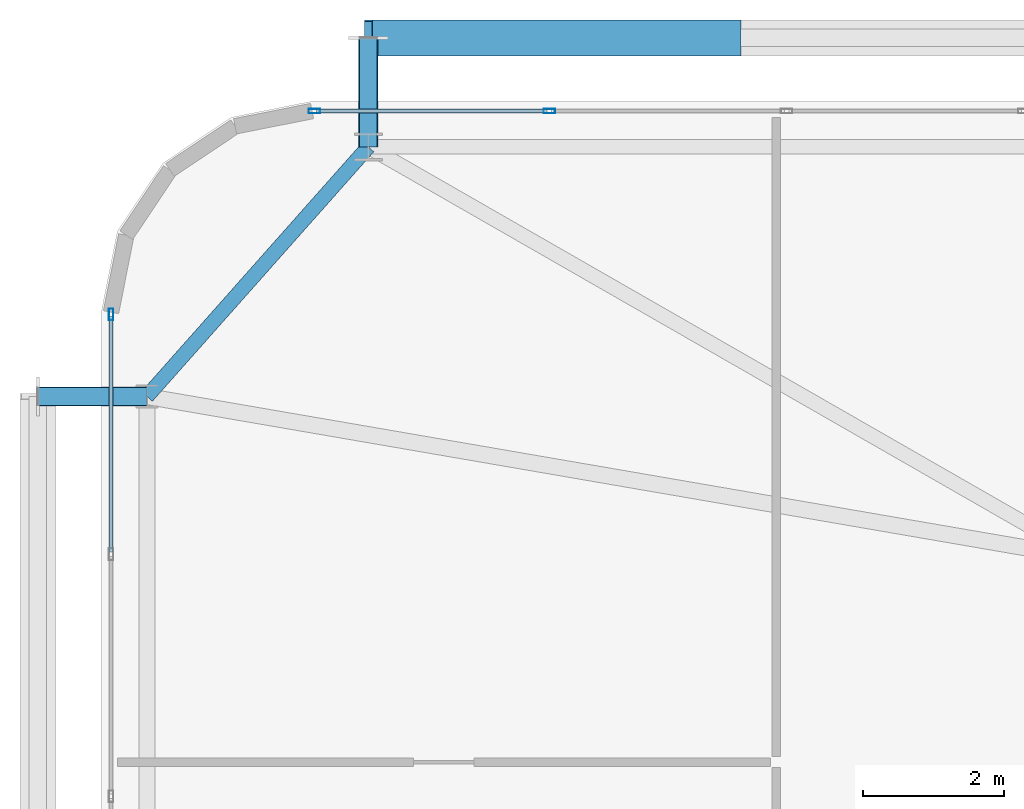
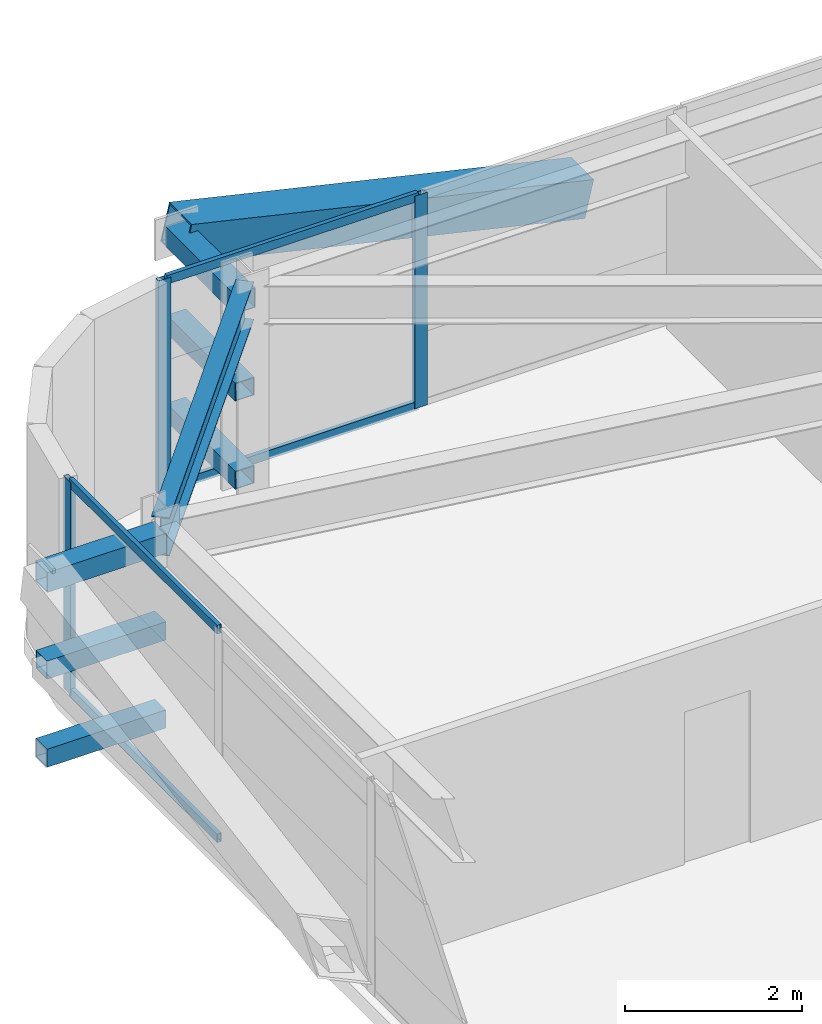
# One storey, part 33 of 59: 14 members, 1 beam, 2 elements without a shape of their own.
"""IFC4 building model written with IfcOpenShell, lengths in metres."""

from ifc_helpers import new_model, si_unit, direction, frame, origin, origin_2d, place, context, subcontext, project, spatial, hollow_rectangle, i_section, extrude, source, transform, mapped, material, layer, layer_set, material_profile, profile_set, type_object, element, aggregate, save


model = new_model("IFC4")

# Units and contexts
model_context = context("Model", 3, precision=1e-05, world=origin(), true_north=direction((0.0, 1.0)))
body_context = subcontext(model_context, "Body", "Model", "MODEL_VIEW")
ifc_project = project(units=[si_unit("LENGTHUNIT", "METRE"), si_unit("AREAUNIT", "SQUARE_METRE"), si_unit("VOLUMEUNIT", "CUBIC_METRE"), si_unit("PLANEANGLEUNIT", "RADIAN"), si_unit("MASSUNIT", "GRAM", prefix="KILO")], contexts=[model_context])

# Site, building, storey
site_placement = place(None, origin())
site = spatial("IfcSite", under=ifc_project, at=site_placement, CompositionType="ELEMENT")
building_placement = place(site_placement, origin())
building = spatial("IfcBuilding", under=site, at=building_placement, Name="Taldren Reach Tower", CompositionType="ELEMENT")
storey_placement = place(building_placement, frame((0.0, 0.0, 45.14990234375)))
storey = spatial("IfcBuildingStorey", under=building, at=storey_placement, Name="L13", CompositionType="ELEMENT", Elevation=45.14990234375)

# Beam
ifc_material_1 = material(Name="Steel Gr 350 (350PLUS)", Category="steel")
ifc_material_profile_1 = material_profile(ifc_material_1, i_section(OverallWidth=0.208984375, OverallDepth=0.528076171875, WebThickness=0.009521484375, FlangeThickness=0.01318359375, at=origin_2d()), Name="530UB82.0")
ifc_profile_set_1 = profile_set([ifc_material_profile_1], Name="Steel Gr 350 (350PLUS)")
beam_type = type_object("IfcBeamType", Name="SP-UB530B", PredefinedType="SPANDREL", material=ifc_profile_set_1)
shared_shape_1 = source(origin(), body_context, "Body", "SweptSolid", [
    extrude(i_section(OverallWidth=0.208984375, OverallDepth=0.528076171875, WebThickness=0.009521484375, FlangeThickness=0.01318359375, at=origin_2d()), origin(), (0.0, 0.0, 1.0), 4.74609375),
])
beam_placement = place(storey_placement, frame((8.800048828125, 37.85009765625, 2.666015625), z_axis=(-0.663721843779, -0.747979487747, 0.0), x_axis=(0.747979487747, -0.663721843779, 0.0)))
element("IfcBeam", 1, at=beam_placement, inside=storey, type_object=beam_type, Name="Perimeter spandrel B1 N1-W3 L13", PredefinedType="SPANDREL", context=body_context, shape_type="MappedRepresentation", body=[
    mapped(shared_shape_1, transform((0.0, 0.0, 0.0), scale=1.0)),
])

# Members
ifc_material_2 = material(Name="Steel Gr 450 (C450L0)", Category="steel")
ifc_material_profile_2 = material_profile(ifc_material_2, hollow_rectangle(XDim=0.27490234375, YDim=0.27490234375, WallThickness=0.00927734375, at=origin_2d()), Name="275x275x9.3SHS")
ifc_profile_set_2 = profile_set([ifc_material_profile_2], Name="Steel Gr 450 (C450L0)")
member_type_1 = type_object("IfcMemberType", Name="MB-TIE273", PredefinedType="STRUT", material=ifc_profile_set_2)
shared_shape_2 = source(origin(), body_context, "Body", "SweptSolid", [
    extrude(hollow_rectangle(XDim=0.27490234375, YDim=0.27490234375, WallThickness=0.00927734375, at=origin_2d()), origin(), (0.0, 0.0, 1.0), 1.5498046875),
])
for number, where, z_axis, x_axis, name in (
    (2, (8.800048828125, 37.85009765625, 2.650146484375), (0.0, 1.0, 0.0), (-1.0, 0.0, 0.0), "Exoskeleton diaphragm tie strut B1-N1 L13"),
    (3, (5.64990234375, 34.300048828125, 2.650146484375), (-1.0, 0.0, 0.0), (0.0, -1.0, 0.0), "Exoskeleton diaphragm tie strut B1-W3 L13"),
):
    element("IfcMember", number, at=place(storey_placement, frame(where, z_axis=z_axis, x_axis=x_axis)), inside=storey, type_object=member_type_1, Name=name, PredefinedType="STRUT", context=body_context, shape_type="MappedRepresentation", body=[
        mapped(shared_shape_2, transform((0.0, 0.0, 0.0), scale=1.0)),
    ])
ifc_material_profile_3 = material_profile(ifc_material_2, hollow_rectangle(XDim=0.510009765625, YDim=0.510009765625, WallThickness=0.02001953125, at=origin_2d()), Name="510x510x20.0SHS")
ifc_profile_set_3 = profile_set([ifc_material_profile_3], Name="Steel Gr 450 (C450L0)")
member_type_2 = type_object("IfcMemberType", Name="MB-EXO508", PredefinedType="BRACE", material=ifc_profile_set_3)
shared_shape_3 = source(origin(), body_context, "Body", "SweptSolid", [
    extrude(hollow_rectangle(XDim=0.510009765625, YDim=0.510009765625, WallThickness=0.02001953125, at=origin_2d()), origin(), (0.0, 0.0, 1.0), 5.37890625),
])
member_1_placement = place(storey_placement, frame((14.0400390625, 39.39990234375, 1.43505859375), z_axis=(-0.97415197996, 0.0, 0.225893603143), x_axis=(0.0, -1.0, 0.0)))
element("IfcMember", 4, at=member_1_placement, inside=storey, type_object=member_type_2, Name="Exoskeleton Diagrid Brace B1-N1 L13", PredefinedType="BRACE", context=body_context, shape_type="MappedRepresentation", body=[
    mapped(shared_shape_3, transform((0.0, 0.0, 0.0), scale=1.0)),
])
ifc_material_3 = material(Name="Steel Gr 350 (C350L0)", Category="steel")
ifc_material_profile_4 = material_profile(ifc_material_3, hollow_rectangle(XDim=0.25, YDim=0.25, WallThickness=0.010009765625, at=origin_2d()), Name="250x250x10.0SHS")
ifc_profile_set_4 = profile_set([ifc_material_profile_4], Name="Steel Gr 350 (C350L0)")
member_type_3 = type_object("IfcMemberType", Name="MB-POST250", PredefinedType="POST", material=ifc_profile_set_4)
shared_shape_4 = source(origin(), body_context, "Body", "SweptSolid", [
    extrude(hollow_rectangle(XDim=0.25, YDim=0.25, WallThickness=0.010009765625, at=origin_2d()), origin(), (0.0, 0.0, 1.0), 1.5498046875),
])
for number, where, z_axis, x_axis, name in (
    (5, (8.800048828125, 37.85009765625, 0.22021484375), (0.0, 1.0, 0.0), (-1.0, 0.0, 0.0), "Exoskeleton base diaphragm tie strut B1-N1 L13"),
    (6, (5.64990234375, 34.300048828125, 0.22021484375), (-1.0, 0.0, 0.0), (0.0, -1.0, 0.0), "Exoskeleton base diaphragm tie strut B1-W3 L13"),
    (7, (8.800048828125, 37.85009765625, 1.43505859375), (0.0, 1.0, 0.0), (-1.0, 0.0, 0.0), "Exoskeleton mid-tier diaphragm tie B1-N1 L13"),
    (8, (5.64990234375, 34.300048828125, 1.43505859375), (-1.0, 0.0, 0.0), (0.0, -1.0, 0.0), "Exoskeleton mid-tier diaphragm tie B1-W3 L13"),
):
    element("IfcMember", number, at=place(storey_placement, frame(where, z_axis=z_axis, x_axis=x_axis)), inside=storey, type_object=member_type_3, Name=name, PredefinedType="POST", context=body_context, shape_type="MappedRepresentation", body=[
        mapped(shared_shape_4, transform((0.0, 0.0, 0.0), scale=1.0)),
    ])

# Curtain wall, members
ifc_material_4 = material(Name="Aluminium and Low-E Glass Unitised System", Category="aluminium")
ifc_layer = layer(ifc_material_4, 0.159912109375)
ifc_layer_set = layer_set([ifc_layer], Name="Aluminium and Low-E Glass Unitised System")
curtain_wall_type = type_object("IfcCurtainWallType", Name="CW-SYS-2", PredefinedType="NOTDEFINED", material=ifc_layer_set)
curtain_wall_1_placement = place(storey_placement, origin())
curtain_wall_1 = element("IfcCurtainWall", 9, at=curtain_wall_1_placement, inside=storey, type_object=curtain_wall_type, Name="Unitised curtain wall CW-L13-N", PredefinedType="NOTDEFINED")
ifc_material_5 = material(Name="Anodised Aluminium 6063-T6", Category="aluminium")
ifc_material_profile_5 = material_profile(ifc_material_5, hollow_rectangle(XDim=0.054931640625, YDim=0.1201171875, WallThickness=0.0029296875, at=origin_2d()), Name="ALU-120x55x3RHS")
ifc_profile_set_5 = profile_set([ifc_material_profile_5], Name="Anodised Aluminium 6063-T6")
member_type_4 = type_object("IfcMemberType", Name="CW-TRN-135", PredefinedType="USERDEFINED", material=ifc_profile_set_5)
shared_shape_5 = source(origin(), body_context, "Body", "SweptSolid", [
    extrude(hollow_rectangle(XDim=0.054931640625, YDim=0.1201171875, WallThickness=0.0029296875, at=origin_2d()), origin(), (0.0, 0.0, 1.0), 3.277587890625),
])
member_2_placement = place(storey_placement, frame((11.342529296875, 38.360107421875, 0.027587890625), z_axis=(-1.0, 0.0, 0.0), x_axis=(0.0, -1.0, 0.0)))
member_2 = element("IfcMember", 10, at=member_2_placement, type_object=member_type_4, Name="CW-2 transom 16.1", ObjectType="TRANSOM", PredefinedType="USERDEFINED", context=body_context, shape_type="MappedRepresentation", body=[
    mapped(shared_shape_5, transform((0.0, 0.0, 0.0), scale=1.0)),
])
member_3_placement = place(storey_placement, frame((11.342529296875, 38.360107421875, 2.902587890625), z_axis=(-1.0, 0.0, 0.0), x_axis=(0.0, -1.0, 0.0)))
member_3 = element("IfcMember", 11, at=member_3_placement, type_object=member_type_4, Name="CW-2 transom 16.2", ObjectType="TRANSOM", PredefinedType="USERDEFINED", context=body_context, shape_type="MappedRepresentation", body=[
    mapped(shared_shape_5, transform((0.0, 0.0, 0.0), scale=1.0)),
])

curtain_wall_2_placement = place(storey_placement, origin())
curtain_wall_2 = element("IfcCurtainWall", 12, at=curtain_wall_2_placement, inside=storey, type_object=curtain_wall_type, Name="Unitised curtain wall CW-L13-W", PredefinedType="NOTDEFINED")
shared_shape_6 = source(origin(), body_context, "Body", "SweptSolid", [
    extrude(hollow_rectangle(XDim=0.054931640625, YDim=0.1201171875, WallThickness=0.0029296875, at=origin_2d()), origin(), (0.0, 0.0, 1.0), 3.346923828125),
])
member_4_placement = place(storey_placement, frame((5.139892578125, 35.43505859375, 0.027587890625), z_axis=(0.0, -1.0, 0.0), x_axis=(1.0, 0.0, 0.0)))
member_4 = element("IfcMember", 13, at=member_4_placement, type_object=member_type_4, Name="CW-2 transom 1.1", ObjectType="TRANSOM", PredefinedType="USERDEFINED", context=body_context, shape_type="MappedRepresentation", body=[
    mapped(shared_shape_6, transform((0.0, 0.0, 0.0), scale=1.0)),
])
member_5_placement = place(storey_placement, frame((5.139892578125, 35.43505859375, 2.902587890625), z_axis=(0.0, -1.0, 0.0), x_axis=(1.0, 0.0, 0.0)))
member_5 = element("IfcMember", 14, at=member_5_placement, type_object=member_type_4, Name="CW-2 transom 1.2", ObjectType="TRANSOM", PredefinedType="USERDEFINED", context=body_context, shape_type="MappedRepresentation", body=[
    mapped(shared_shape_6, transform((0.0, 0.0, 0.0), scale=1.0)),
])

# Member
ifc_material_profile_6 = material_profile(ifc_material_5, hollow_rectangle(XDim=0.06494140625, YDim=0.1650390625, WallThickness=0.00390625, at=origin_2d()), Name="ALU-165x65x4RHS")
ifc_profile_set_6 = profile_set([ifc_material_profile_6], Name="Anodised Aluminium 6063-T6")
member_type_5 = type_object("IfcMemberType", Name="CW-MUL-165", PredefinedType="MULLION", material=ifc_profile_set_6)
shared_shape_7 = source(origin(), body_context, "Body", "SweptSolid", [
    extrude(hollow_rectangle(XDim=0.06494140625, YDim=0.1650390625, WallThickness=0.00390625, at=origin_2d()), origin(), (0.0, 0.0, 1.0), 2.93017578125),
])
member_6_placement = place(storey_placement, frame((11.375, 38.360107421875, 0.0), z_axis=(0.0, 0.0, 1.0), x_axis=(0.0, -1.0, 0.0)))
member_6 = element("IfcMember", 15, at=member_6_placement, type_object=member_type_5, Name="CW-2 mullion 16", PredefinedType="MULLION", context=body_context, shape_type="MappedRepresentation", body=[
    mapped(shared_shape_7, transform((0.0, 0.0, 0.0), scale=1.0)),
])

member_7_placement = place(storey_placement, frame((8.032470703125, 38.360107421875, 0.0), z_axis=(0.0, 0.0, 1.0), x_axis=(0.0, -1.0, 0.0)))
member_7 = element("IfcMember", 16, at=member_7_placement, type_object=member_type_5, Name="CW-2 mullion 17", PredefinedType="MULLION", context=body_context, shape_type="MappedRepresentation", body=[
    mapped(shared_shape_7, transform((0.0, 0.0, 0.0), scale=1.0)),
])

aggregate(curtain_wall_1, [member_6, member_7, member_2, member_3])

member_8_placement = place(storey_placement, frame((5.139892578125, 35.467529296875, 0.0), z_axis=(0.0, 0.0, 1.0), x_axis=(1.0, 0.0, 0.0)))
member_8 = element("IfcMember", 17, at=member_8_placement, type_object=member_type_5, Name="CW-2 mullion 1", PredefinedType="MULLION", context=body_context, shape_type="MappedRepresentation", body=[
    mapped(shared_shape_7, transform((0.0, 0.0, 0.0), scale=1.0)),
])

aggregate(curtain_wall_2, [member_8, member_4, member_5])

save(model, "model.ifc")
